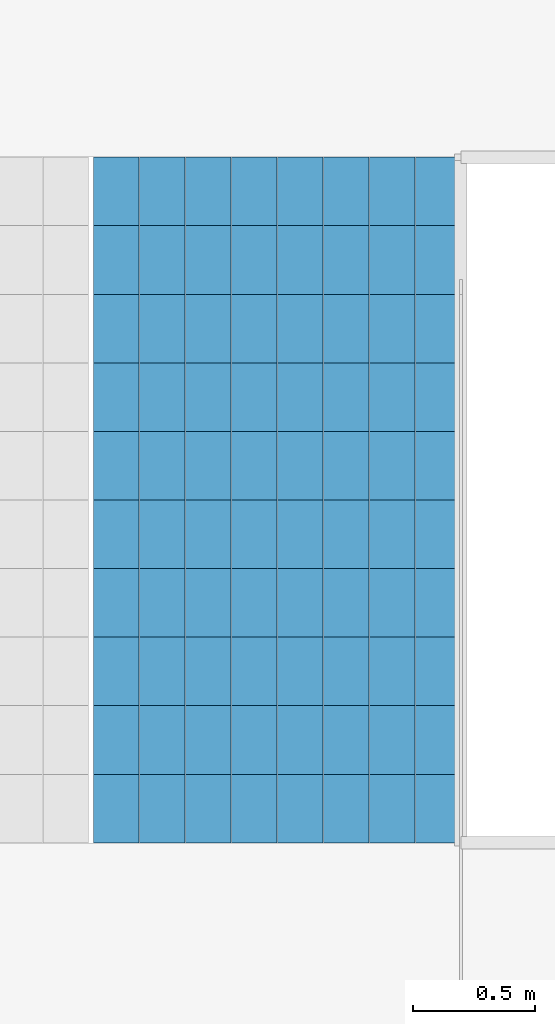
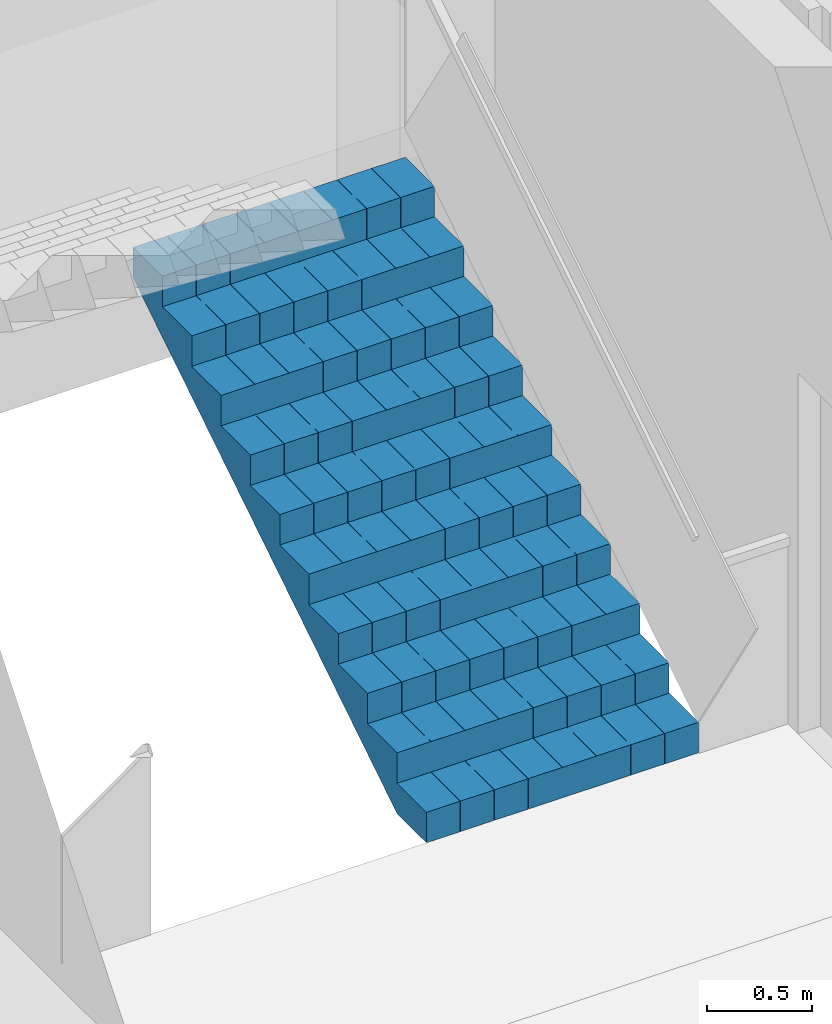
# One storey, part 13 of 15: 1 stair flight, 1 element without a shape of its own.
"""IFC4 building model written with IfcOpenShell, lengths in metres."""

from ifc_helpers import new_model, si_unit, direction, frame, origin, place, context, subcontext, project, spatial, polyline, outline, extrude, material, type_object, element, aggregate, save


model = new_model("IFC4")

# Units and contexts
model_context = context("Model", 3, precision=1e-05, world=origin(), true_north=direction((0.0, 1.0)))
body_context = subcontext(model_context, "Body", "Model", "MODEL_VIEW")
ifc_project = project(units=[si_unit("LENGTHUNIT", "METRE"), si_unit("AREAUNIT", "SQUARE_METRE"), si_unit("VOLUMEUNIT", "CUBIC_METRE"), si_unit("PLANEANGLEUNIT", "RADIAN"), si_unit("MASSUNIT", "GRAM", prefix="KILO")], contexts=[model_context])

# Site, building, storey
site_placement = place(None, origin())
site = spatial("IfcSite", under=ifc_project, at=site_placement, CompositionType="ELEMENT")
building_placement = place(site_placement, origin())
building = spatial("IfcBuilding", under=site, at=building_placement, Name="Kolab Exchange Tower", CompositionType="ELEMENT")
storey_placement = place(building_placement, frame((0.0, 0.0, 154.39990234375)))
storey = spatial("IfcBuildingStorey", under=building, at=storey_placement, Name="L31", CompositionType="ELEMENT", Elevation=154.39990234375)

# Stair, stair flight
ifc_material = material(Name="Concrete C50/60", Category="concrete")
stair_type = type_object("IfcStairType", Name="STAIR ST1 RISER 177.3", PredefinedType="HALF_TURN_STAIR", material=ifc_material)
stair_placement = place(storey_placement, origin())
stair = element("IfcStair", 1, at=stair_placement, inside=storey, type_object=stair_type, Name="Stair 1", PredefinedType="HALF_TURN_STAIR")
stair_flight_type = type_object("IfcStairFlightType", Name="STAIR FLIGHT 1500 RISER 177.3", PredefinedType="STRAIGHT", material=ifc_material)
stair_flight_placement = place(storey_placement, frame((-6.489990234375, 5.550048828125, 0.0), z_axis=(0.0, 0.0, 1.0), x_axis=(0.0, 1.0, 0.0)))
stair_flight = element("IfcStairFlight", 2, at=stair_flight_placement, type_object=stair_flight_type, Name="ST1 flight 1", NumberOfRisers=11, NumberOfTreads=10, PredefinedType="STRAIGHT", RiserHeight=0.177272727, TreadLength=0.28, context=body_context, shape_type="SweptSolid", body=[
    extrude(outline(polyline([(0.0, 0.0), (0.0, 0.17724609375), (0.280029296875, 0.17724609375), (0.280029296875, 0.3544921875), (0.56005859375, 0.3544921875), (0.56005859375, 0.53173828125), (0.840087890625, 0.53173828125), (0.840087890625, 0.708984375), (1.1201171875, 0.708984375), (1.1201171875, 0.886474609375), (1.39990234375, 0.886474609375), (1.39990234375, 1.063720703125), (1.679931640625, 1.063720703125), (1.679931640625, 1.240966796875), (1.9599609375, 1.240966796875), (1.9599609375, 1.418212890625), (2.239990234375, 1.418212890625), (2.239990234375, 1.595458984375), (2.52001953125, 1.595458984375), (2.52001953125, 1.772705078125), (2.800048828125, 1.772705078125), (2.800048828125, 1.949951171875), (2.800048828125, 1.59521484375), (0.2802734375, 0.0), (0.0, 0.0)])), frame((0.0, 0.75, 0.0), z_axis=(0.0, -1.0, 0.0), x_axis=(1.0, 0.0, 0.0)), (0.0, 0.0, 1.0), 0.185791015625),
    extrude(outline(polyline([(0.0, 0.0), (0.0, 0.17724609375), (0.280029296875, 0.17724609375), (0.280029296875, 0.3544921875), (0.56005859375, 0.3544921875), (0.56005859375, 0.53173828125), (0.840087890625, 0.53173828125), (0.840087890625, 0.708984375), (1.1201171875, 0.708984375), (1.1201171875, 0.886474609375), (1.39990234375, 0.886474609375), (1.39990234375, 1.063720703125), (1.679931640625, 1.063720703125), (1.679931640625, 1.240966796875), (1.9599609375, 1.240966796875), (1.9599609375, 1.418212890625), (2.239990234375, 1.418212890625), (2.239990234375, 1.595458984375), (2.52001953125, 1.595458984375), (2.52001953125, 1.772705078125), (2.800048828125, 1.772705078125), (2.800048828125, 1.949951171875), (2.800048828125, 1.59521484375), (0.2802734375, 0.0), (0.0, 0.0)])), frame((0.0, 0.562255859375, 0.0), z_axis=(0.0, -1.0, 0.0), x_axis=(1.0, 0.0, 0.0)), (0.0, 0.0, 1.0), 0.185791015625),
    extrude(outline(polyline([(0.0, 0.0), (0.0, 0.17724609375), (0.280029296875, 0.17724609375), (0.280029296875, 0.3544921875), (0.56005859375, 0.3544921875), (0.56005859375, 0.53173828125), (0.840087890625, 0.53173828125), (0.840087890625, 0.708984375), (1.1201171875, 0.708984375), (1.1201171875, 0.886474609375), (1.39990234375, 0.886474609375), (1.39990234375, 1.063720703125), (1.679931640625, 1.063720703125), (1.679931640625, 1.240966796875), (1.9599609375, 1.240966796875), (1.9599609375, 1.418212890625), (2.239990234375, 1.418212890625), (2.239990234375, 1.595458984375), (2.52001953125, 1.595458984375), (2.52001953125, 1.772705078125), (2.800048828125, 1.772705078125), (2.800048828125, 1.949951171875), (2.800048828125, 1.59521484375), (0.2802734375, 0.0), (0.0, 0.0)])), frame((0.0, 0.37451171875, 0.0), z_axis=(0.0, -1.0, 0.0), x_axis=(1.0, 0.0, 0.0)), (0.0, 0.0, 1.0), 0.185791015625),
    extrude(outline(polyline([(0.0, 0.0), (0.0, 0.17724609375), (0.280029296875, 0.17724609375), (0.280029296875, 0.3544921875), (0.56005859375, 0.3544921875), (0.56005859375, 0.53173828125), (0.840087890625, 0.53173828125), (0.840087890625, 0.708984375), (1.1201171875, 0.708984375), (1.1201171875, 0.886474609375), (1.39990234375, 0.886474609375), (1.39990234375, 1.063720703125), (1.679931640625, 1.063720703125), (1.679931640625, 1.240966796875), (1.9599609375, 1.240966796875), (1.9599609375, 1.418212890625), (2.239990234375, 1.418212890625), (2.239990234375, 1.595458984375), (2.52001953125, 1.595458984375), (2.52001953125, 1.772705078125), (2.800048828125, 1.772705078125), (2.800048828125, 1.949951171875), (2.800048828125, 1.59521484375), (0.2802734375, 0.0), (0.0, 0.0)])), frame((0.0, 0.186767578125, 0.0), z_axis=(0.0, -1.0, 0.0), x_axis=(1.0, 0.0, 0.0)), (0.0, 0.0, 1.0), 0.185791015625),
    extrude(outline(polyline([(0.0, 0.0), (0.0, 0.17724609375), (0.280029296875, 0.17724609375), (0.280029296875, 0.3544921875), (0.56005859375, 0.3544921875), (0.56005859375, 0.53173828125), (0.840087890625, 0.53173828125), (0.840087890625, 0.708984375), (1.1201171875, 0.708984375), (1.1201171875, 0.886474609375), (1.39990234375, 0.886474609375), (1.39990234375, 1.063720703125), (1.679931640625, 1.063720703125), (1.679931640625, 1.240966796875), (1.9599609375, 1.240966796875), (1.9599609375, 1.418212890625), (2.239990234375, 1.418212890625), (2.239990234375, 1.595458984375), (2.52001953125, 1.595458984375), (2.52001953125, 1.772705078125), (2.800048828125, 1.772705078125), (2.800048828125, 1.949951171875), (2.800048828125, 1.59521484375), (0.2802734375, 0.0), (0.0, 0.0)])), frame((0.0, -0.0009765625, 0.0), z_axis=(0.0, -1.0, 0.0), x_axis=(1.0, 0.0, 0.0)), (0.0, 0.0, 1.0), 0.185791015625),
    extrude(outline(polyline([(0.0, 0.0), (0.0, 0.17724609375), (0.280029296875, 0.17724609375), (0.280029296875, 0.3544921875), (0.56005859375, 0.3544921875), (0.56005859375, 0.53173828125), (0.840087890625, 0.53173828125), (0.840087890625, 0.708984375), (1.1201171875, 0.708984375), (1.1201171875, 0.886474609375), (1.39990234375, 0.886474609375), (1.39990234375, 1.063720703125), (1.679931640625, 1.063720703125), (1.679931640625, 1.240966796875), (1.9599609375, 1.240966796875), (1.9599609375, 1.418212890625), (2.239990234375, 1.418212890625), (2.239990234375, 1.595458984375), (2.52001953125, 1.595458984375), (2.52001953125, 1.772705078125), (2.800048828125, 1.772705078125), (2.800048828125, 1.949951171875), (2.800048828125, 1.59521484375), (0.2802734375, 0.0), (0.0, 0.0)])), frame((0.0, -0.188720703125, 0.0), z_axis=(0.0, -1.0, 0.0), x_axis=(1.0, 0.0, 0.0)), (0.0, 0.0, 1.0), 0.185791015625),
    extrude(outline(polyline([(0.0, 0.0), (0.0, 0.17724609375), (0.280029296875, 0.17724609375), (0.280029296875, 0.3544921875), (0.56005859375, 0.3544921875), (0.56005859375, 0.53173828125), (0.840087890625, 0.53173828125), (0.840087890625, 0.708984375), (1.1201171875, 0.708984375), (1.1201171875, 0.886474609375), (1.39990234375, 0.886474609375), (1.39990234375, 1.063720703125), (1.679931640625, 1.063720703125), (1.679931640625, 1.240966796875), (1.9599609375, 1.240966796875), (1.9599609375, 1.418212890625), (2.239990234375, 1.418212890625), (2.239990234375, 1.595458984375), (2.52001953125, 1.595458984375), (2.52001953125, 1.772705078125), (2.800048828125, 1.772705078125), (2.800048828125, 1.949951171875), (2.800048828125, 1.59521484375), (0.2802734375, 0.0), (0.0, 0.0)])), frame((0.0, -0.37646484375, 0.0), z_axis=(0.0, -1.0, 0.0), x_axis=(1.0, 0.0, 0.0)), (0.0, 0.0, 1.0), 0.185791015625),
    extrude(outline(polyline([(0.0, 0.0), (0.0, 0.17724609375), (0.280029296875, 0.17724609375), (0.280029296875, 0.3544921875), (0.56005859375, 0.3544921875), (0.56005859375, 0.53173828125), (0.840087890625, 0.53173828125), (0.840087890625, 0.708984375), (1.1201171875, 0.708984375), (1.1201171875, 0.886474609375), (1.39990234375, 0.886474609375), (1.39990234375, 1.063720703125), (1.679931640625, 1.063720703125), (1.679931640625, 1.240966796875), (1.9599609375, 1.240966796875), (1.9599609375, 1.418212890625), (2.239990234375, 1.418212890625), (2.239990234375, 1.595458984375), (2.52001953125, 1.595458984375), (2.52001953125, 1.772705078125), (2.800048828125, 1.772705078125), (2.800048828125, 1.949951171875), (2.800048828125, 1.59521484375), (0.2802734375, 0.0), (0.0, 0.0)])), frame((0.0, -0.564208984375, 0.0), z_axis=(0.0, -1.0, 0.0), x_axis=(1.0, 0.0, 0.0)), (0.0, 0.0, 1.0), 0.185791015625),
])
aggregate(stair, [stair_flight])

save(model, "model.ifc")
